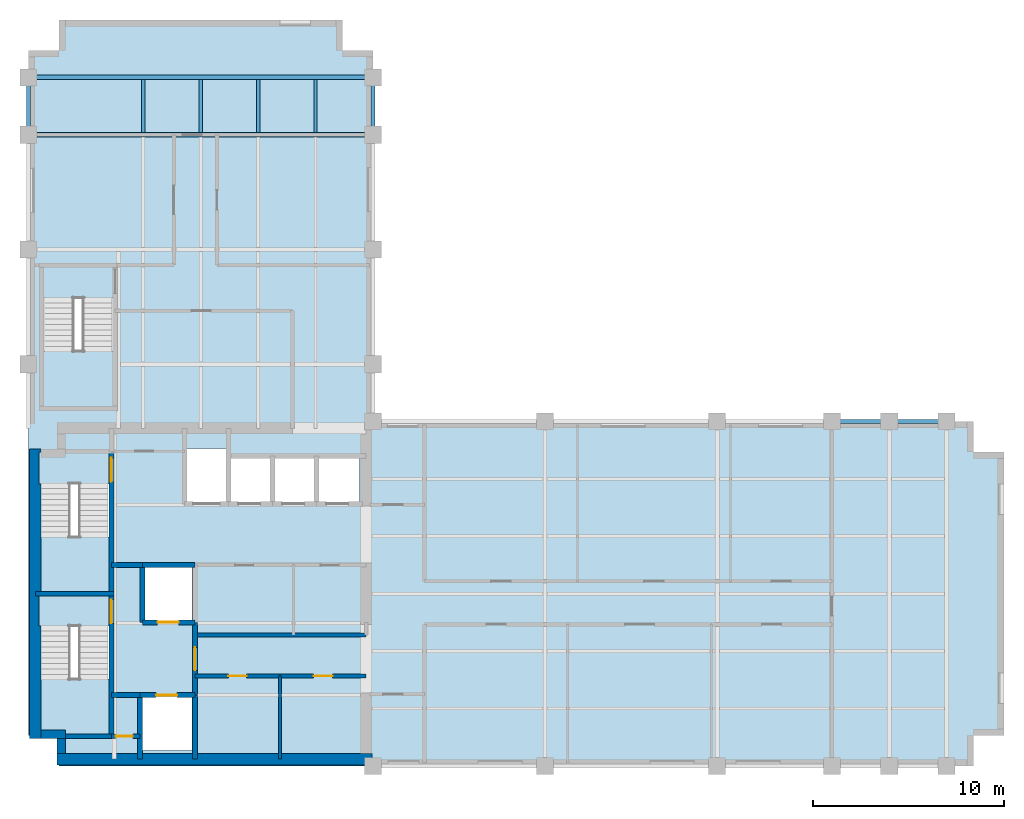
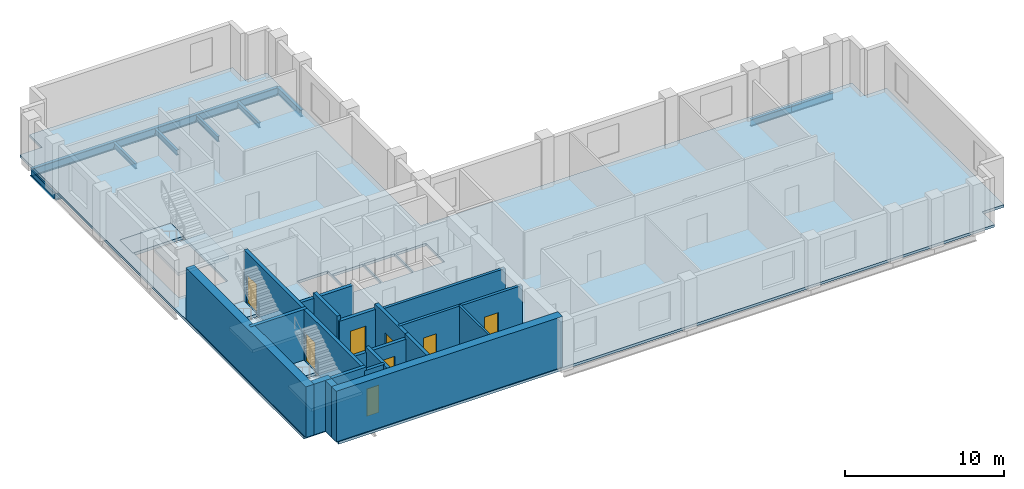
# One storey, part 2 of 6: 22 walls, 10 beams, 8 doors, 7 slabs, 8 openings, 3 elements without a shape of their own.
"""IFC4 building model written with IfcOpenShell, lengths in metres."""

from ifc_helpers import new_model, si_unit, direction, frame, frame_2d, origin, origin_2d, place, context, subcontext, project, spatial, polyline, rectangle, i_section, outline, extrude, material, layer, layer_set, material_profile, profile_set, type_object, element, fill, aggregate, save


model = new_model("IFC4")

# Units and contexts
model_context = context("Model", 3, precision=1e-05, world=origin(), true_north=direction((0.0, 1.0)))
body_context = subcontext(model_context, "Body", "Model", "MODEL_VIEW")
ifc_project = project(units=[si_unit("LENGTHUNIT", "METRE"), si_unit("AREAUNIT", "SQUARE_METRE"), si_unit("VOLUMEUNIT", "CUBIC_METRE"), si_unit("PLANEANGLEUNIT", "RADIAN"), si_unit("MASSUNIT", "GRAM", prefix="KILO")], contexts=[model_context])

# Site, building, storey
site_placement = place(None, origin())
site = spatial("IfcSite", under=ifc_project, at=site_placement, CompositionType="ELEMENT")
building_placement = place(site_placement, origin())
building = spatial("IfcBuilding", under=site, at=building_placement, Name="Mawjdan Bourse Tower", CompositionType="ELEMENT")
storey_placement = place(building_placement, frame((0.0, 0.0, 219.0)))
storey = spatial("IfcBuildingStorey", under=building, at=storey_placement, Name="L53", CompositionType="ELEMENT", Elevation=219.0)

# Beams
ifc_material_1 = material(Name="Structural Steel S355", Category="steel")
ifc_material_profile_1 = material_profile(ifc_material_1, i_section(OverallWidth=0.22998046875, OverallDepth=0.616943359375, WebThickness=0.01318359375, FlangeThickness=0.022216796875, FilletRadius=0.017822265625, at=origin_2d()), Name="W24X94")
ifc_profile_set_1 = profile_set([ifc_material_profile_1], Name="Structural Steel S355")
beam_type_1 = type_object("IfcBeamType", Name="GRD-W24X94", PredefinedType="BEAM", material=ifc_profile_set_1)
for number, where, z_axis, x_axis, name in (
    (1, (6.0, 36.0, -0.508544921875), (1.0, 0.0, 0.0), (0.0, 1.0, 0.0), "L53 North Wing Clear-Span Girder 049"),
    (2, (6.0, 39.0, -0.508544921875), (1.0, 0.0, 0.0), (0.0, 1.0, 0.0), "L53 North Wing Clear-Span Girder 050"),
):
    element("IfcBeam", number, at=place(storey_placement, frame(where, z_axis=z_axis, x_axis=x_axis)), inside=storey, type_object=beam_type_1, Name=name, PredefinedType="BEAM", context=body_context, shape_type="SweptSolid", body=[
        extrude(i_section(OverallWidth=0.22998046875, OverallDepth=0.616943359375, WebThickness=0.01318359375, FlangeThickness=0.022216796875, FilletRadius=0.017822265625, at=origin_2d()), origin(), (0.0, 0.0, 1.0), 18.0),
    ])
ifc_material_profile_2 = material_profile(ifc_material_1, i_section(OverallWidth=0.177978515625, OverallDepth=0.406982421875, WebThickness=0.0078125, FlangeThickness=0.0126953125, FilletRadius=0.01025390625, at=origin_2d()), Name="W16X40")
ifc_profile_set_2 = profile_set([ifc_material_profile_2], Name="Structural Steel S355")
beam_type_2 = type_object("IfcBeamType", Name="JST-W16X40", PredefinedType="JOIST", material=ifc_profile_set_2)
for number, where, z_axis, x_axis, name in (
    (3, (12.0, 36.113037109375, -0.403564453125), (0.0, 1.0, 0.0), (-1.0, 0.0, 0.0), "L53 North Wing Composite Joist 062"),
    (4, (15.0, 36.113037109375, -0.403564453125), (0.0, 1.0, 0.0), (-1.0, 0.0, 0.0), "L53 North Wing Composite Joist 066"),
    (5, (18.0, 36.113037109375, -0.403564453125), (0.0, 1.0, 0.0), (-1.0, 0.0, 0.0), "L53 North Wing Composite Joist 070"),
    (6, (21.0, 36.113037109375, -0.403564453125), (0.0, 1.0, 0.0), (-1.0, 0.0, 0.0), "L53 North Wing Composite Joist 074"),
):
    element("IfcBeam", number, at=place(storey_placement, frame(where, z_axis=z_axis, x_axis=x_axis)), inside=storey, type_object=beam_type_2, Name=name, PredefinedType="JOIST", context=body_context, shape_type="SweptSolid", body=[
        extrude(i_section(OverallWidth=0.177978515625, OverallDepth=0.406982421875, WebThickness=0.0078125, FlangeThickness=0.0126953125, FilletRadius=0.01025390625, at=origin_2d()), origin(), (0.0, 0.0, 1.0), 2.77392578125),
    ])
ifc_material_profile_3 = material_profile(ifc_material_1, i_section(OverallWidth=0.2099609375, OverallDepth=0.537109375, WebThickness=0.010986328125, FlangeThickness=0.017333984375, FilletRadius=0.013916015625, at=origin_2d()), Name="W21X68")
ifc_profile_set_3 = profile_set([ifc_material_profile_3], Name="Structural Steel S355")
beam_type_3 = type_object("IfcBeamType", Name="SPN-W21X68", PredefinedType="SPANDREL", material=ifc_profile_set_3)
for number, where, z_axis, x_axis, name in (
    (7, (48.0, 21.0, -0.468505859375), (1.0, 0.0, 0.0), (0.0, 1.0, 0.0), "L53 Perimeter Masonry-Shelf Spandrel 015"),
    (8, (51.0, 21.0, -0.468505859375), (1.0, 0.0, 0.0), (0.0, 1.0, 0.0), "L53 Perimeter Masonry-Shelf Spandrel 016"),
    (9, (6.0, 36.0, -0.468505859375), (0.0, 1.0, 0.0), (-1.0, 0.0, 0.0), "L53 North Wing Spandrel 054"),
    (10, (24.0, 36.0, -0.468505859375), (0.0, 1.0, 0.0), (-1.0, 0.0, 0.0), "L53 North Wing Spandrel 058"),
):
    element("IfcBeam", number, at=place(storey_placement, frame(where, z_axis=z_axis, x_axis=x_axis)), inside=storey, type_object=beam_type_3, Name=name, PredefinedType="SPANDREL", context=body_context, shape_type="SweptSolid", body=[
        extrude(i_section(OverallWidth=0.2099609375, OverallDepth=0.537109375, WebThickness=0.010986328125, FlangeThickness=0.017333984375, FilletRadius=0.013916015625, at=origin_2d()), origin(), (0.0, 0.0, 1.0), 3.0),
    ])

# Stair, slabs
ifc_material_2 = material(Name="Concrete C50/60", Category="concrete")
stair_type = type_object("IfcStairType", Name="STR-CORE-1500", PredefinedType="HALF_TURN_STAIR", material=ifc_material_2)
stair_1_placement = place(storey_placement, origin())
stair_1 = element("IfcStair", 11, at=stair_1_placement, inside=storey, type_object=stair_type, Name="L53 Exit Stair 1 (Core South-West)", PredefinedType="HALF_TURN_STAIR")
ifc_layer_1 = layer(ifc_material_2, 0.22998046875)
ifc_layer_set_1 = layer_set([ifc_layer_1], Name="Concrete C50/60")
slab_type_1 = type_object("IfcSlabType", Name="SL-LND-230", PredefinedType="LANDING", material=ifc_layer_set_1)
slab_1_placement = place(storey_placement, frame((0.0, 0.0, -0.22998046875)))
slab_1 = element("IfcSlab", 12, at=slab_1_placement, type_object=slab_type_1, Name="ST1-L53 landing 1", PredefinedType="LANDING", context=body_context, shape_type="SweptSolid", body=[
    extrude(outline(polyline([(6.5400390625, 10.31005859375), (10.260009765625, 10.31005859375), (10.260009765625, 11.969970703125), (6.5400390625, 11.969970703125), (6.5400390625, 10.31005859375)])), origin(), (0.0, 0.0, 1.0), 0.22998046875),
])
slab_2_placement = place(storey_placement, frame((0.0, 0.0, 1.719970703125)))
slab_2 = element("IfcSlab", 13, at=slab_2_placement, type_object=slab_type_1, Name="ST1-L53 landing 2", PredefinedType="LANDING", context=body_context, shape_type="SweptSolid", body=[
    extrude(outline(polyline([(6.5400390625, 4.590087890625), (10.260009765625, 4.590087890625), (10.260009765625, 7.5400390625), (6.5400390625, 7.5400390625), (6.5400390625, 4.590087890625)])), origin(), (0.0, 0.0, 1.0), 0.22998046875),
])
aggregate(stair_1, [slab_1, slab_2])

stair_2_placement = place(storey_placement, origin())
stair_2 = element("IfcStair", 14, at=stair_2_placement, inside=storey, type_object=stair_type, Name="L53 Exit Stair 2 (Core North-West)", PredefinedType="HALF_TURN_STAIR")
slab_3_placement = place(storey_placement, frame((0.0, 0.0, -0.22998046875)))
slab_3 = element("IfcSlab", 15, at=slab_3_placement, type_object=slab_type_1, Name="ST2-L53 landing 1", PredefinedType="LANDING", context=body_context, shape_type="SweptSolid", body=[
    extrude(outline(polyline([(6.5400390625, 17.75), (10.260009765625, 17.75), (10.260009765625, 19.409912109375), (6.5400390625, 19.409912109375), (6.5400390625, 17.75)])), origin(), (0.0, 0.0, 1.0), 0.22998046875),
])
slab_4_placement = place(storey_placement, frame((0.0, 0.0, 1.719970703125)))
slab_4 = element("IfcSlab", 16, at=slab_4_placement, type_object=slab_type_1, Name="ST2-L53 landing 2", PredefinedType="LANDING", context=body_context, shape_type="SweptSolid", body=[
    extrude(outline(polyline([(6.5400390625, 12.030029296875), (10.260009765625, 12.030029296875), (10.260009765625, 14.97998046875), (6.5400390625, 14.97998046875), (6.5400390625, 12.030029296875)])), origin(), (0.0, 0.0, 1.0), 0.22998046875),
])
aggregate(stair_2, [slab_3, slab_4])

stair_3_placement = place(storey_placement, origin())
stair_3 = element("IfcStair", 17, at=stair_3_placement, inside=storey, type_object=stair_type, Name="L53 Exit Stair 3 (North Wing)", PredefinedType="HALF_TURN_STAIR")
slab_5_placement = place(storey_placement, frame((0.0, 0.0, -0.22998046875)))
slab_5 = element("IfcSlab", 18, at=slab_5_placement, type_object=slab_type_1, Name="ST3-L53 landing 1", PredefinedType="LANDING", context=body_context, shape_type="SweptSolid", body=[
    extrude(outline(polyline([(6.739990234375, 27.4599609375), (10.4599609375, 27.4599609375), (10.4599609375, 29.1201171875), (6.739990234375, 29.1201171875), (6.739990234375, 27.4599609375)])), origin(), (0.0, 0.0, 1.0), 0.22998046875),
])
slab_6_placement = place(storey_placement, frame((0.0, 0.0, 1.719970703125)))
slab_6 = element("IfcSlab", 19, at=slab_6_placement, type_object=slab_type_1, Name="ST3-L53 landing 2", PredefinedType="LANDING", context=body_context, shape_type="SweptSolid", body=[
    extrude(outline(polyline([(6.739990234375, 21.739990234375), (10.4599609375, 21.739990234375), (10.4599609375, 24.68994140625), (6.739990234375, 24.68994140625), (6.739990234375, 21.739990234375)])), origin(), (0.0, 0.0, 1.0), 0.22998046875),
])
aggregate(stair_3, [slab_5, slab_6])

# Slab
ifc_layer_2 = layer(ifc_material_2, 0.199951171875)
ifc_layer_set_2 = layer_set([ifc_layer_2], Name="Concrete C50/60")
slab_type_2 = type_object("IfcSlabType", Name="SL-OFC-200", PredefinedType="FLOOR", material=ifc_layer_set_2)
slab_7_placement = place(storey_placement, frame((0.0, 0.0, -0.199951171875)))
element("IfcSlab", 20, at=slab_7_placement, inside=storey, type_object=slab_type_2, Name="L53 Structural Floor Slab 1", PredefinedType="FLOOR", context=body_context, shape_type="SweptSolid", body=[
    extrude(outline(polyline([(7.60009765625, 3.0), (55.39990234375, 3.0), (55.39990234375, 4.60009765625), (57.0, 4.60009765625), (57.0, 19.39990234375), (55.39990234375, 19.39990234375), (55.39990234375, 21.0), (24.0, 21.0), (24.0, 40.39990234375), (22.39990234375, 40.39990234375), (22.39990234375, 42.0), (7.60009765625, 42.0), (7.60009765625, 40.39990234375), (6.0, 40.39990234375), (6.0, 4.60009765625), (7.60009765625, 4.60009765625), (7.60009765625, 3.0)]), holes=[polyline([(6.5400390625, 11.969970703125), (10.260009765625, 11.969970703125), (10.260009765625, 10.31005859375), (10.199951171875, 10.31005859375), (10.199951171875, 4.64990234375), (6.60009765625, 4.64990234375), (6.60009765625, 10.31005859375), (6.5400390625, 10.31005859375), (6.5400390625, 11.969970703125)]), polyline([(6.60009765625, 12.090087890625), (6.60009765625, 17.75), (6.5400390625, 17.75), (6.5400390625, 19.409912109375), (10.260009765625, 19.409912109375), (10.260009765625, 17.75), (10.199951171875, 17.75), (10.199951171875, 12.090087890625), (6.60009765625, 12.090087890625)]), polyline([(10.4599609375, 29.1201171875), (10.4599609375, 27.4599609375), (10.39990234375, 27.4599609375), (10.39990234375, 21.800048828125), (6.800048828125, 21.800048828125), (6.800048828125, 27.4599609375), (6.739990234375, 27.4599609375), (6.739990234375, 29.1201171875), (10.4599609375, 29.1201171875)]), polyline([(14.550048828125, 3.800048828125), (11.949951171875, 3.800048828125), (11.949951171875, 6.60009765625), (14.550048828125, 6.60009765625), (14.550048828125, 3.800048828125)]), polyline([(12.050048828125, 10.60009765625), (12.050048828125, 13.39990234375), (14.550048828125, 13.39990234375), (14.550048828125, 10.60009765625), (12.050048828125, 10.60009765625)]), polyline([(16.5, 16.800048828125), (16.5, 19.14990234375), (18.699951171875, 19.14990234375), (18.699951171875, 16.800048828125), (16.5, 16.800048828125)]), polyline([(21.0, 16.800048828125), (18.800048828125, 16.800048828125), (18.800048828125, 19.14990234375), (21.0, 19.14990234375), (21.0, 16.800048828125)]), polyline([(21.10009765625, 16.800048828125), (21.10009765625, 19.14990234375), (23.300048828125, 19.14990234375), (23.300048828125, 16.800048828125), (21.10009765625, 16.800048828125)]), polyline([(14.199951171875, 16.800048828125), (14.199951171875, 19.60009765625), (16.39990234375, 19.60009765625), (16.39990234375, 16.800048828125), (14.199951171875, 16.800048828125)])]), origin(), (0.0, 0.0, 1.0), 0.199951171875),
])

# Wall, opening, door
ifc_material_3 = material(Name="Gypsum Fireboard Assembly")
ifc_layer_3 = layer(ifc_material_3, 0.199951171875)
ifc_layer_set_3 = layer_set([ifc_layer_3], Name="Gypsum Fireboard Assembly")
wall_type_1 = type_object("IfcWallType", Name="WL-CMP-200", PredefinedType="PARTITIONING", material=ifc_layer_set_3)
wall_1_placement = place(storey_placement, frame((14.699951171875, 7.699951171875, 0.0), z_axis=(0.0, 0.0, 1.0), x_axis=(1.0, 0.0, 0.0)))
wall_1 = element("IfcWall", 21, at=wall_1_placement, inside=storey, type_object=wall_type_1, Name="L53 Staff Tea Pantry North Wall", PredefinedType="PARTITIONING", context=body_context, shape_type="SweptSolid", body=[
    extrude(rectangle(XDim=4.449951171875, YDim=0.199951171875, at=frame_2d((2.22509765625, 0.0))), origin(), (0.0, 0.0, 1.0), 3.639892578125),
])
opening_1_placement = place(wall_1_placement, frame((1.75, 0.0, 0.0)))
opening_1 = element("IfcOpeningElement", 22, at=opening_1_placement, cuts=wall_1, Name="Opening D-L53-13", PredefinedType="OPENING", context=body_context, shape_type="SweptSolid", body=[
    extrude(rectangle(XDim=0.949951171875, YDim=2.10009765625, at=frame_2d((0.47509765625, 1.050048828125))), frame((0.0, 0.10986328125, 0.0), z_axis=(0.0, -1.0, 0.0), x_axis=(1.0, 0.0, 0.0)), (0.0, 0.0, 1.0), 0.219970703125),
])
ifc_material_4 = material(Name="Moisture-Resistant Laminate Timber", Category="wood")
door_type_1 = type_object("IfcDoorType", Name="DR-WET-0950", OperationType="NOTDEFINED", PredefinedType="DOOR", material=ifc_material_4)
door_1_placement = place(opening_1_placement, origin())
door_1 = element("IfcDoor", 23, at=door_1_placement, inside=storey, type_object=door_type_1, Name="L53 Staff Tea Pantry Door D-L53-13", OperationType="SINGLE_SWING_RIGHT", OverallHeight=2.10009765625, OverallWidth=0.949951171875, PredefinedType="DOOR", context=body_context, shape_type="SweptSolid", body=[
    extrude(rectangle(XDim=0.949951171875, YDim=2.10009765625, at=frame_2d((0.47509765625, 1.050048828125))), frame((0.0, 0.02490234375, 0.0), z_axis=(0.0, -1.0, 0.0), x_axis=(1.0, 0.0, 0.0)), (0.0, 0.0, 1.0), 0.050048828125),
])
fill(opening_1, door_1)

wall_2_placement = place(storey_placement, frame((19.14990234375, 7.699951171875, 0.0), z_axis=(0.0, 0.0, 1.0), x_axis=(1.0, 0.0, 0.0)))
wall_2 = element("IfcWall", 24, at=wall_2_placement, inside=storey, type_object=wall_type_1, Name="L53 Document Custody Office North Wall", PredefinedType="PARTITIONING", context=body_context, shape_type="SweptSolid", body=[
    extrude(rectangle(XDim=4.5, YDim=0.199951171875, at=frame_2d((2.25, 0.0))), origin(), (0.0, 0.0, 1.0), 3.639892578125),
])
opening_2_placement = place(wall_2_placement, frame((1.75, 0.0, 0.0)))
opening_2 = element("IfcOpeningElement", 25, at=opening_2_placement, cuts=wall_2, Name="Opening D-L53-14", PredefinedType="OPENING", context=body_context, shape_type="SweptSolid", body=[
    extrude(rectangle(XDim=1.0, YDim=2.14990234375, at=frame_2d((0.5, 1.074951171875))), frame((0.0, 0.10986328125, 0.0), z_axis=(0.0, -1.0, 0.0), x_axis=(1.0, 0.0, 0.0)), (0.0, 0.0, 1.0), 0.219970703125),
])
ifc_material_5 = material(Name="Hardwood Acoustic Leaf", Category="wood")
door_type_2 = type_object("IfcDoorType", Name="DR-OFC-1000", OperationType="NOTDEFINED", PredefinedType="DOOR", material=ifc_material_5)
door_2_placement = place(opening_2_placement, origin())
door_2 = element("IfcDoor", 26, at=door_2_placement, inside=storey, type_object=door_type_2, Name="L53 Document Custody Office Door D-L53-14", OperationType="SINGLE_SWING_LEFT", OverallHeight=2.14990234375, OverallWidth=1.0, PredefinedType="DOOR", context=body_context, shape_type="SweptSolid", body=[
    extrude(rectangle(XDim=1.0, YDim=2.14990234375, at=frame_2d((0.5, 1.074951171875))), frame((0.0, 0.02490234375, 0.0), z_axis=(0.0, -1.0, 0.0), x_axis=(1.0, 0.0, 0.0)), (0.0, 0.0, 1.0), 0.050048828125),
])
fill(opening_2, door_2)

# Walls
wall_3_placement = place(storey_placement, frame((14.824951171875, 9.85009765625, 0.0), z_axis=(0.0, 0.0, 1.0), x_axis=(1.0, 0.0, 0.0)))
element("IfcWall", 27, at=wall_3_placement, inside=storey, type_object=wall_type_1, Name="L53 Core Restroom Suite South Wall", PredefinedType="PARTITIONING", context=body_context, shape_type="SweptSolid", body=[
    extrude(rectangle(XDim=8.824951171875, YDim=0.199951171875, at=frame_2d((4.41259765625, 0.0))), origin(), (0.0, 0.0, 1.0), 3.639892578125),
])
ifc_material_6 = material(Name="Concrete C60/75", Category="concrete")
ifc_layer_4 = layer(ifc_material_6, 0.449951171875)
ifc_layer_set_4 = layer_set([ifc_layer_4], Name="Concrete C60/75")
wall_type_2 = type_object("IfcWallType", Name="WL-CORE-450", PredefinedType="SHEAR", material=ifc_layer_set_4)
wall_4_placement = place(storey_placement, frame((6.64990234375, 4.64990234375, 0.0), z_axis=(0.0, 0.0, 1.0), x_axis=(1.0, 0.0, 0.0)))
element("IfcWall", 28, at=wall_4_placement, inside=storey, type_object=wall_type_2, Name="L53 Rear Core Shear Wall SW-X", PredefinedType="SHEAR", context=body_context, shape_type="SweptSolid", body=[
    extrude(rectangle(XDim=1.275146484375, YDim=0.449951171875, at=frame_2d((0.6376953125, 0.0))), origin(), (0.0, 0.0, 1.0), 3.89990234375),
])
wall_5_placement = place(storey_placement, frame((7.699951171875, 3.64990234375, 0.0), z_axis=(0.0, 0.0, 1.0), x_axis=(0.0, 1.0, 0.0)))
element("IfcWall", 29, at=wall_5_placement, inside=storey, type_object=wall_type_2, Name="L53 Rear Core Shear Wall SW-Y", PredefinedType="SHEAR", context=body_context, shape_type="SweptSolid", body=[
    extrude(rectangle(XDim=0.775146484375, YDim=0.449951171875, at=frame_2d((0.3876953125, 0.0))), origin(), (0.0, 0.0, 1.0), 3.89990234375),
])
ifc_material_7 = material(Name="Concrete C70/85", Category="concrete")
ifc_layer_5 = layer(ifc_material_7, 0.60009765625)
ifc_layer_set_5 = layer_set([ifc_layer_5], Name="Concrete C70/85")
wall_type_3 = type_object("IfcWallType", Name="WL-CORE-600", PredefinedType="SHEAR", material=ifc_layer_set_5)
wall_6_placement = place(storey_placement, frame((7.47509765625, 3.35009765625, 0.0), z_axis=(0.0, 0.0, 1.0), x_axis=(1.0, 0.0, 0.0)))
element("IfcWall", 30, at=wall_6_placement, inside=storey, type_object=wall_type_3, Name="L53 Rear Core Shear Wall S", PredefinedType="SHEAR", context=body_context, shape_type="SweptSolid", body=[
    extrude(rectangle(XDim=16.474853515625, YDim=0.60009765625, at=frame_2d((8.2373046875, 0.0))), origin(), (0.0, 0.0, 1.0), 3.89990234375),
])
wall_7_placement = place(storey_placement, frame((6.35009765625, 4.425048828125, 0.0), z_axis=(0.0, 0.0, 1.0), x_axis=(0.0, 1.0, 0.0)))
element("IfcWall", 31, at=wall_7_placement, inside=storey, type_object=wall_type_3, Name="L53 Rear Core Shear Wall W", PredefinedType="SHEAR", context=body_context, shape_type="SweptSolid", body=[
    extrude(rectangle(XDim=15.14990234375, YDim=0.60009765625, at=frame_2d((7.574951171875, 0.0))), origin(), (0.0, 0.0, 1.0), 3.89990234375),
])
ifc_material_8 = material(Name="Gypsum Acoustic Partition")
ifc_layer_6 = layer(ifc_material_8, 0.14990234375)
ifc_layer_set_6 = layer_set([ifc_layer_6], Name="Gypsum Acoustic Partition")
wall_type_4 = type_object("IfcWallType", Name="WL-PRT-150", PredefinedType="PARTITIONING", material=ifc_layer_set_6)
wall_8_placement = place(storey_placement, frame((19.14990234375, 3.35009765625, 0.0), z_axis=(0.0, 0.0, 1.0), x_axis=(0.0, 1.0, 0.0)))
element("IfcWall", 32, at=wall_8_placement, inside=storey, type_object=wall_type_4, Name="L53 Document Custody Office Core Split Wall", PredefinedType="PARTITIONING", context=body_context, shape_type="SweptSolid", body=[
    extrude(rectangle(XDim=4.349853515625, YDim=0.14990234375, at=frame_2d((2.1748046875, 0.0))), origin(), (0.0, 0.0, 1.0), 3.639892578125),
])

# Wall, opening, door
ifc_layer_7 = layer(ifc_material_2, 0.25)
ifc_layer_set_7 = layer_set([ifc_layer_7], Name="Concrete C50/60")
wall_type_5 = type_object("IfcWallType", Name="WL-SHFT-250", PredefinedType="PARTITIONING", material=ifc_layer_set_7)
wall_9_placement = place(storey_placement, frame((10.330078125, 4.550048828125, 0.0), z_axis=(0.0, 0.0, 1.0), x_axis=(1.0, 0.0, 0.0)))
wall_9 = element("IfcWall", 33, at=wall_9_placement, inside=storey, type_object=wall_type_5, Name="L53 SW Riser North Wall", PredefinedType="PARTITIONING", context=body_context, shape_type="SweptSolid", body=[
    extrude(rectangle(XDim=1.489990234375, YDim=0.25, at=frame_2d((0.7451171875, 0.0))), origin(), (0.0, 0.0, 1.0), 3.639892578125),
])
opening_3_placement = place(wall_9_placement, frame((0.219970703125, 0.0, 0.0)))
opening_3 = element("IfcOpeningElement", 34, at=opening_3_placement, cuts=wall_9, Name="Opening RD-L53-03", PredefinedType="OPENING", context=body_context, shape_type="SweptSolid", body=[
    extrude(rectangle(XDim=0.89990234375, YDim=2.10009765625, at=frame_2d((0.449951171875, 1.050048828125))), frame((0.0, 0.135009765625, 0.0), z_axis=(0.0, -1.0, 0.0), x_axis=(1.0, 0.0, 0.0)), (0.0, 0.0, 1.0), 0.27001953125),
])
ifc_material_9 = material(Name="Fire-Rated Steel Access Leaf", Category="steel")
door_type_3 = type_object("IfcDoorType", Name="FD-RSR-0900", OperationType="NOTDEFINED", PredefinedType="TRAPDOOR", material=ifc_material_9)
door_3_placement = place(opening_3_placement, origin())
door_3 = element("IfcDoor", 35, at=door_3_placement, inside=storey, type_object=door_type_3, Name="L53 Electrical Riser Access Door RD-L53-03", OperationType="SINGLE_SWING_RIGHT", OverallHeight=2.10009765625, OverallWidth=0.89990234375, PredefinedType="TRAPDOOR", context=body_context, shape_type="SweptSolid", body=[
    extrude(rectangle(XDim=0.89990234375, YDim=2.10009765625, at=frame_2d((0.449951171875, 1.050048828125))), frame((0.0, 0.02490234375, 0.0), z_axis=(0.0, -1.0, 0.0), x_axis=(1.0, 0.0, 0.0)), (0.0, 0.0, 1.0), 0.050048828125),
])
fill(opening_3, door_3)

# Wall
wall_10_placement = place(storey_placement, frame((11.820068359375, 3.35009765625, 0.0), z_axis=(0.0, 0.0, 1.0), x_axis=(0.0, 1.0, 0.0)))
element("IfcWall", 36, at=wall_10_placement, inside=storey, type_object=wall_type_5, Name="L53 SW Riser & FFL01 West Wall", PredefinedType="PARTITIONING", context=body_context, shape_type="SweptSolid", body=[
    extrude(rectangle(XDim=3.349853515625, YDim=0.25, at=frame_2d((1.6748046875, 0.0))), origin(), (0.0, 0.0, 1.0), 3.639892578125),
])

# Wall, opening, door
wall_11_placement = place(storey_placement, frame((11.820068359375, 6.699951171875, 0.0), z_axis=(0.0, 0.0, 1.0), x_axis=(1.0, 0.0, 0.0)))
wall_11 = element("IfcWall", 37, at=wall_11_placement, inside=storey, type_object=wall_type_5, Name="L53 FFL-01 Front Shaft Wall", PredefinedType="PARTITIONING", context=body_context, shape_type="SweptSolid", body=[
    extrude(rectangle(XDim=2.8798828125, YDim=0.25, at=frame_2d((1.43994140625, 0.0))), origin(), (0.0, 0.0, 1.0), 3.282958984375),
])
opening_4_placement = place(wall_11_placement, frame((0.85009765625, 0.0, 0.0)))
opening_4 = element("IfcOpeningElement", 38, at=opening_4_placement, cuts=wall_11, Name="Opening LD-L53-05", PredefinedType="OPENING", context=body_context, shape_type="SweptSolid", body=[
    extrude(rectangle(XDim=1.10009765625, YDim=2.25, at=frame_2d((0.550048828125, 1.125))), frame((0.0, 0.135009765625, 0.0), z_axis=(0.0, -1.0, 0.0), x_axis=(1.0, 0.0, 0.0)), (0.0, 0.0, 1.0), 0.27001953125),
])
ifc_material_10 = material(Name="Brushed Stainless Steel", Category="steel")
door_type_4 = type_object("IfcDoorType", Name="LD-FFL-1100", OperationType="DOUBLE_DOOR_SLIDING", PredefinedType="DOOR", material=ifc_material_10)
door_4_placement = place(opening_4_placement, origin())
door_4 = element("IfcDoor", 39, at=door_4_placement, inside=storey, type_object=door_type_4, Name="L53 Firefighting Lift FFL-01 Landing Door LD-L53-05", OperationType="DOUBLE_DOOR_SLIDING", OverallHeight=2.25, OverallWidth=1.10009765625, PredefinedType="DOOR", context=body_context, shape_type="SweptSolid", body=[
    extrude(rectangle(XDim=1.10009765625, YDim=2.25, at=frame_2d((0.550048828125, 1.125))), frame((0.0, 0.02490234375, 0.0), z_axis=(0.0, -1.0, 0.0), x_axis=(1.0, 0.0, 0.0)), (0.0, 0.0, 1.0), 0.050048828125),
])
fill(opening_4, door_4)

# Wall
wall_12_placement = place(storey_placement, frame((14.699951171875, 3.35009765625, 0.0), z_axis=(0.0, 0.0, 1.0), x_axis=(0.0, 1.0, 0.0)))
element("IfcWall", 40, at=wall_12_placement, inside=storey, type_object=wall_type_5, Name="L53 FFL-01 East Shaft Wall", PredefinedType="PARTITIONING", context=body_context, shape_type="SweptSolid", body=[
    extrude(rectangle(XDim=3.349853515625, YDim=0.25, at=frame_2d((1.6748046875, 0.0))), origin(), (0.0, 0.0, 1.0), 3.639892578125),
])

# Wall, opening, door
wall_13_placement = place(storey_placement, frame((11.949951171875, 10.5, 0.0), z_axis=(0.0, 0.0, 1.0), x_axis=(1.0, 0.0, 0.0)))
wall_13 = element("IfcWall", 41, at=wall_13_placement, inside=storey, type_object=wall_type_5, Name="L53 FFL-02 Front Shaft Wall", PredefinedType="PARTITIONING", context=body_context, shape_type="SweptSolid", body=[
    extrude(rectangle(XDim=2.75, YDim=0.25, at=frame_2d((1.375, 0.0))), origin(), (0.0, 0.0, 1.0), 3.282958984375),
])
opening_5_placement = place(wall_13_placement, frame((0.800048828125, 0.0, 0.0)))
opening_5 = element("IfcOpeningElement", 42, at=opening_5_placement, cuts=wall_13, Name="Opening LD-L53-06", PredefinedType="OPENING", context=body_context, shape_type="SweptSolid", body=[
    extrude(rectangle(XDim=1.10009765625, YDim=2.25, at=frame_2d((0.550048828125, 1.125))), frame((0.0, 0.135009765625, 0.0), z_axis=(0.0, -1.0, 0.0), x_axis=(1.0, 0.0, 0.0)), (0.0, 0.0, 1.0), 0.27001953125),
])
door_5_placement = place(opening_5_placement, origin())
door_5 = element("IfcDoor", 43, at=door_5_placement, inside=storey, type_object=door_type_4, Name="L53 Firefighting Lift FFL-02 Landing Door LD-L53-06", OperationType="DOUBLE_DOOR_SLIDING", OverallHeight=2.25, OverallWidth=1.10009765625, PredefinedType="DOOR", context=body_context, shape_type="SweptSolid", body=[
    extrude(rectangle(XDim=1.10009765625, YDim=2.25, at=frame_2d((0.550048828125, 1.125))), frame((0.0, 0.02490234375, 0.0), z_axis=(0.0, -1.0, 0.0), x_axis=(1.0, 0.0, 0.0)), (0.0, 0.0, 1.0), 0.050048828125),
])
fill(opening_5, door_5)

# Walls
wall_14_placement = place(storey_placement, frame((11.949951171875, 10.5, 0.0), z_axis=(0.0, 0.0, 1.0), x_axis=(0.0, 1.0, 0.0)))
element("IfcWall", 44, at=wall_14_placement, inside=storey, type_object=wall_type_5, Name="L53 FFL-02 West Shaft Wall", PredefinedType="PARTITIONING", context=body_context, shape_type="SweptSolid", body=[
    extrude(rectangle(XDim=3.0, YDim=0.25, at=frame_2d((1.5, 0.0))), origin(), (0.0, 0.0, 1.0), 3.639892578125),
])
wall_15_placement = place(storey_placement, frame((11.949951171875, 13.5, 0.0), z_axis=(0.0, 0.0, 1.0), x_axis=(1.0, 0.0, 0.0)))
element("IfcWall", 45, at=wall_15_placement, inside=storey, type_object=wall_type_5, Name="L53 FFL-02 North Shaft Wall", PredefinedType="PARTITIONING", context=body_context, shape_type="SweptSolid", body=[
    extrude(rectangle(XDim=2.75, YDim=0.25, at=frame_2d((1.375, 0.0))), origin(), (0.0, 0.0, 1.0), 3.282958984375),
])

# Wall, opening, door
wall_16_placement = place(storey_placement, frame((14.699951171875, 6.699951171875, 0.0), z_axis=(0.0, 0.0, 1.0), x_axis=(0.0, 1.0, 0.0)))
wall_16 = element("IfcWall", 46, at=wall_16_placement, inside=storey, type_object=wall_type_5, Name="L53 Firefighting Lobby East Compartment Wall", PredefinedType="PARTITIONING", context=body_context, shape_type="SweptSolid", body=[
    extrude(rectangle(XDim=3.800048828125, YDim=0.25, at=frame_2d((1.89990234375, 0.0))), origin(), (0.0, 0.0, 1.0), 3.639892578125),
])
opening_6_placement = place(wall_16_placement, frame((1.300048828125, 0.0, 0.0)))
opening_6 = element("IfcOpeningElement", 47, at=opening_6_placement, cuts=wall_16, Name="Opening FD-L53-07", PredefinedType="OPENING", context=body_context, shape_type="SweptSolid", body=[
    extrude(rectangle(XDim=1.199951171875, YDim=2.199951171875, at=frame_2d((0.60009765625, 1.10009765625))), frame((0.0, 0.135009765625, 0.0), z_axis=(0.0, -1.0, 0.0), x_axis=(1.0, 0.0, 0.0)), (0.0, 0.0, 1.0), 0.27001953125),
])
ifc_material_11 = material(Name="Fire-Rated Steel Leaf", Category="steel")
door_type_5 = type_object("IfcDoorType", Name="FD-FFL-1200", OperationType="NOTDEFINED", PredefinedType="DOOR", material=ifc_material_11)
door_6_placement = place(opening_6_placement, origin())
door_6 = element("IfcDoor", 48, at=door_6_placement, inside=storey, type_object=door_type_5, Name="L53 Firefighting Lobby East Smoke Door FD-L53-07", OperationType="SINGLE_SWING_RIGHT", OverallHeight=2.199951171875, OverallWidth=1.199951171875, PredefinedType="DOOR", context=body_context, shape_type="SweptSolid", body=[
    extrude(rectangle(XDim=1.199951171875, YDim=2.199951171875, at=frame_2d((0.60009765625, 1.10009765625))), frame((0.0, 0.02490234375, 0.0), z_axis=(0.0, -1.0, 0.0), x_axis=(1.0, 0.0, 0.0)), (0.0, 0.0, 1.0), 0.050048828125),
])
fill(opening_6, door_6)

# Walls
wall_17_placement = place(storey_placement, frame((10.330078125, 13.5, 0.0), z_axis=(0.0, 0.0, 1.0), x_axis=(1.0, 0.0, 0.0)))
element("IfcWall", 49, at=wall_17_placement, inside=storey, type_object=wall_type_5, Name="L53 Firefighting Lobby North Compartment Wall", PredefinedType="PARTITIONING", context=body_context, shape_type="SweptSolid", body=[
    extrude(rectangle(XDim=1.619873046875, YDim=0.25, at=frame_2d((0.81005859375, 0.0))), origin(), (0.0, 0.0, 1.0), 3.282958984375),
])
wall_18_placement = place(storey_placement, frame((10.330078125, 6.699951171875, 0.0), z_axis=(0.0, 0.0, 1.0), x_axis=(1.0, 0.0, 0.0)))
element("IfcWall", 50, at=wall_18_placement, inside=storey, type_object=wall_type_5, Name="L53 Firefighting Lobby South Closure Wall", PredefinedType="PARTITIONING", context=body_context, shape_type="SweptSolid", body=[
    extrude(rectangle(XDim=1.489990234375, YDim=0.25, at=frame_2d((0.7451171875, 0.0))), origin(), (0.0, 0.0, 1.0), 3.282958984375),
])
ifc_layer_8 = layer(ifc_material_2, 0.25)
ifc_layer_set_8 = layer_set([ifc_layer_8], Name="Concrete C50/60")
wall_type_6 = type_object("IfcWallType", Name="WL-STRW-250", PredefinedType="SHEAR", material=ifc_layer_set_8)
wall_19_placement = place(storey_placement, frame((6.35009765625, 12.0, 0.0), z_axis=(0.0, 0.0, 1.0), x_axis=(1.0, 0.0, 0.0)))
element("IfcWall", 51, at=wall_19_placement, inside=storey, type_object=wall_type_6, Name="L53 Stairwell Dividing Shaft Wall", PredefinedType="SHEAR", context=body_context, shape_type="SweptSolid", body=[
    extrude(rectangle(XDim=4.10498046875, YDim=0.25, at=frame_2d((2.052490234375, 0.0))), origin(), (0.0, 0.0, 1.0), 3.89990234375),
])
wall_20_placement = place(storey_placement, frame((7.699951171875, 4.550048828125, 0.0), z_axis=(0.0, 0.0, 1.0), x_axis=(1.0, 0.0, 0.0)))
element("IfcWall", 52, at=wall_20_placement, inside=storey, type_object=wall_type_6, Name="L53 Stairwell ST1 South Shaft Wall", PredefinedType="SHEAR", context=body_context, shape_type="SweptSolid", body=[
    extrude(rectangle(XDim=2.755126953125, YDim=0.25, at=frame_2d((1.37744140625, 0.0))), origin(), (0.0, 0.0, 1.0), 3.89990234375),
])

# Wall, opening, door
wall_21_placement = place(storey_placement, frame((10.330078125, 4.550048828125, 0.0), z_axis=(0.0, 0.0, 1.0), x_axis=(0.0, 1.0, 0.0)))
wall_21 = element("IfcWall", 53, at=wall_21_placement, inside=storey, type_object=wall_type_6, Name="L53 Stairwell ST1 East Enclosure Wall", PredefinedType="SHEAR", context=body_context, shape_type="SweptSolid", body=[
    extrude(rectangle(XDim=7.449951171875, YDim=0.25, at=frame_2d((3.72509765625, 0.0))), origin(), (0.0, 0.0, 1.0), 3.89990234375),
])
opening_7_placement = place(wall_21_placement, frame((5.89990234375, 0.0, 0.0)))
opening_7 = element("IfcOpeningElement", 54, at=opening_7_placement, cuts=wall_21, Name="Opening SD-L53-01", PredefinedType="OPENING", context=body_context, shape_type="SweptSolid", body=[
    extrude(rectangle(XDim=1.25, YDim=2.199951171875, at=frame_2d((0.625, 1.10009765625))), frame((0.0, 0.135009765625, 0.0), z_axis=(0.0, -1.0, 0.0), x_axis=(1.0, 0.0, 0.0)), (0.0, 0.0, 1.0), 0.27001953125),
])
door_type_6 = type_object("IfcDoorType", Name="FD-ST-1250", OperationType="NOTDEFINED", PredefinedType="DOOR", material=ifc_material_11)
door_7_placement = place(opening_7_placement, origin())
door_7 = element("IfcDoor", 55, at=door_7_placement, inside=storey, type_object=door_type_6, Name="L53 Exit Stair ST1 Fire Door SD-L53-01", OperationType="SINGLE_SWING_RIGHT", OverallHeight=2.199951171875, OverallWidth=1.25, PredefinedType="DOOR", context=body_context, shape_type="SweptSolid", body=[
    extrude(rectangle(XDim=1.25, YDim=2.199951171875, at=frame_2d((0.625, 1.10009765625))), frame((0.0, 0.02490234375, 0.0), z_axis=(0.0, -1.0, 0.0), x_axis=(1.0, 0.0, 0.0)), (0.0, 0.0, 1.0), 0.050048828125),
])
fill(opening_7, door_7)

wall_22_placement = place(storey_placement, frame((10.330078125, 12.0, 0.0), z_axis=(0.0, 0.0, 1.0), x_axis=(0.0, 1.0, 0.0)))
wall_22 = element("IfcWall", 56, at=wall_22_placement, inside=storey, type_object=wall_type_6, Name="L53 Stairwell ST2 East Enclosure Wall", PredefinedType="SHEAR", context=body_context, shape_type="SweptSolid", body=[
    extrude(rectangle(XDim=7.449951171875, YDim=0.25, at=frame_2d((3.72509765625, 0.0))), origin(), (0.0, 0.0, 1.0), 3.89990234375),
])
opening_8_placement = place(wall_22_placement, frame((5.85009765625, 0.0, 0.0)))
opening_8 = element("IfcOpeningElement", 57, at=opening_8_placement, cuts=wall_22, Name="Opening SD-L53-02", PredefinedType="OPENING", context=body_context, shape_type="SweptSolid", body=[
    extrude(rectangle(XDim=1.25, YDim=2.199951171875, at=frame_2d((0.625, 1.10009765625))), frame((0.0, 0.135009765625, 0.0), z_axis=(0.0, -1.0, 0.0), x_axis=(1.0, 0.0, 0.0)), (0.0, 0.0, 1.0), 0.27001953125),
])
door_8_placement = place(opening_8_placement, origin())
door_8 = element("IfcDoor", 58, at=door_8_placement, inside=storey, type_object=door_type_6, Name="L53 Exit Stair ST2 Fire Door SD-L53-02", OperationType="SINGLE_SWING_LEFT", OverallHeight=2.199951171875, OverallWidth=1.25, PredefinedType="DOOR", context=body_context, shape_type="SweptSolid", body=[
    extrude(rectangle(XDim=1.25, YDim=2.199951171875, at=frame_2d((0.625, 1.10009765625))), frame((0.0, 0.02490234375, 0.0), z_axis=(0.0, -1.0, 0.0), x_axis=(1.0, 0.0, 0.0)), (0.0, 0.0, 1.0), 0.050048828125),
])
fill(opening_8, door_8)

save(model, "model.ifc")
